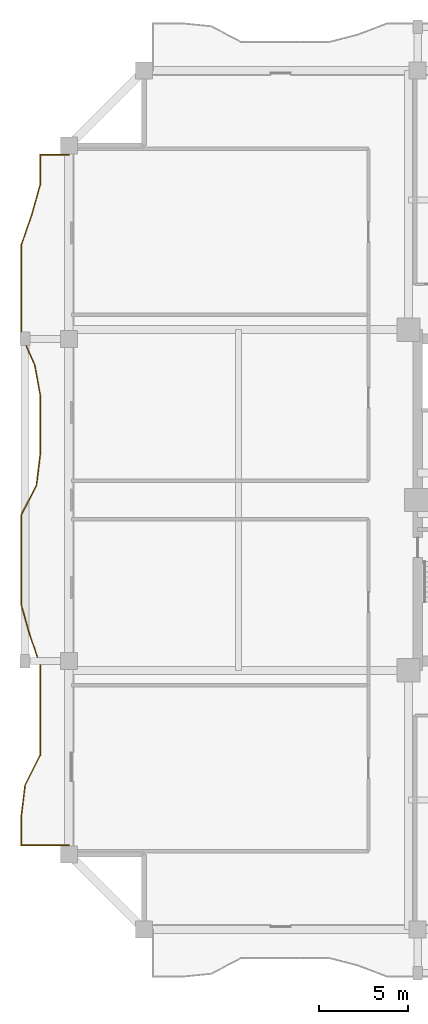
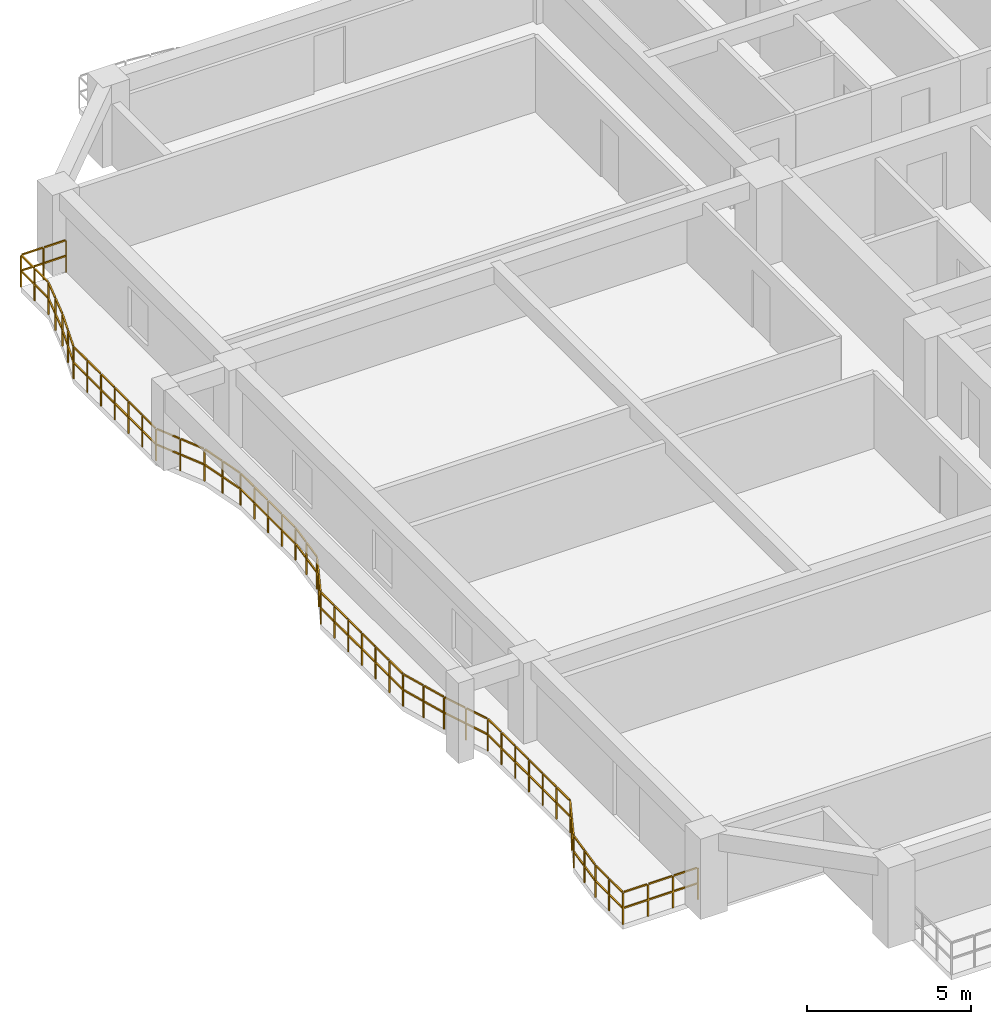
# One storey, part 9 of 12: 1 railing.
"""IFC4 building model written with IfcOpenShell, lengths in metres."""

from ifc_helpers import new_model, si_unit, direction, frame, origin, origin_2d, place, context, subcontext, project, spatial, rectangle, extrude, material, type_object, element, save


model = new_model("IFC4")

# Units and contexts
model_context = context("Model", 3, precision=1e-05, world=origin(), true_north=direction((0.0, 1.0)))
body_context = subcontext(model_context, "Body", "Model", "MODEL_VIEW")
ifc_project = project(units=[si_unit("LENGTHUNIT", "METRE"), si_unit("AREAUNIT", "SQUARE_METRE"), si_unit("VOLUMEUNIT", "CUBIC_METRE"), si_unit("PLANEANGLEUNIT", "RADIAN"), si_unit("MASSUNIT", "GRAM", prefix="KILO")], contexts=[model_context])

# Site, building, storey
site_placement = place(None, origin())
site = spatial("IfcSite", under=ifc_project, at=site_placement, CompositionType="ELEMENT")
building_placement = place(site_placement, origin())
building = spatial("IfcBuilding", under=site, at=building_placement, Name="Saelheon Loggia Tower", CompositionType="ELEMENT")
storey_placement = place(building_placement, frame((0.0, 0.0, 95.85009765625)))
storey = spatial("IfcBuildingStorey", under=building, at=storey_placement, Name="L30", CompositionType="ELEMENT", Elevation=95.85009765625)

# Railing
ifc_material = material(Name="Architectural Precast Concrete and Laminated Glass Guard", Category="concrete")
railing_type = type_object("IfcRailingType", Name="Guard_Loggia_RL_LOG", PredefinedType="BALUSTRADE", material=ifc_material)
railing_placement = place(storey_placement, frame((12.0, 46.300048828125, 0.0)))
element("IfcRailing", 1, at=railing_placement, inside=storey, type_object=railing_type, Name="L30 West Loggia Balustrade", PredefinedType="BALUSTRADE", context=body_context, shape_type="SweptSolid", body=[
    extrude(rectangle(XDim=0.048095703125, YDim=0.048095703125, at=origin_2d()), frame((-0.033203125, 0.0, 1.19580078125), z_axis=(-1.0, 0.0, 0.0), x_axis=(0.0, -1.0, 0.0)), (0.0, 0.0, 1.0), 0.733642578125),
    extrude(rectangle(XDim=0.048095703125, YDim=0.048095703125, at=origin_2d()), frame((-0.033203125, 0.0, 0.60986328125), z_axis=(-1.0, 0.0, 0.0), x_axis=(0.0, -1.0, 0.0)), (0.0, 0.0, 1.0), 0.733642578125),
    extrude(rectangle(XDim=0.048095703125, YDim=0.048095703125, at=origin_2d()), frame((-0.833251953125, 0.0, 1.19580078125), z_axis=(-1.0, 0.0, 0.0), x_axis=(0.0, -1.0, 0.0)), (0.0, 0.0, 1.0), 0.733642578125),
    extrude(rectangle(XDim=0.048095703125, YDim=0.048095703125, at=origin_2d()), frame((-0.833251953125, 0.0, 0.60986328125), z_axis=(-1.0, 0.0, 0.0), x_axis=(0.0, -1.0, 0.0)), (0.0, 0.0, 1.0), 0.733642578125),
    extrude(rectangle(XDim=0.048095703125, YDim=0.048095703125, at=origin_2d()), frame((-1.60009765625, -0.033203125, 1.19580078125), z_axis=(0.0, -1.0, 0.0), x_axis=(1.0, 0.0, 0.0)), (0.0, 0.0, 1.0), 0.772705078125),
    extrude(rectangle(XDim=0.048095703125, YDim=0.048095703125, at=origin_2d()), frame((-1.60009765625, -0.033203125, 0.60986328125), z_axis=(0.0, -1.0, 0.0), x_axis=(1.0, 0.0, 0.0)), (0.0, 0.0, 1.0), 0.772705078125),
    extrude(rectangle(XDim=0.048095703125, YDim=0.048095703125, at=origin_2d()), frame((-1.60009765625, -0.87255859375, 1.19580078125), z_axis=(0.0, -1.0, 0.0), x_axis=(1.0, 0.0, 0.0)), (0.0, 0.0, 1.0), 0.772705078125),
    extrude(rectangle(XDim=0.048095703125, YDim=0.048095703125, at=origin_2d()), frame((-1.60009765625, -0.87255859375, 0.60986328125), z_axis=(0.0, -1.0, 0.0), x_axis=(1.0, 0.0, 0.0)), (0.0, 0.0, 1.0), 0.772705078125),
    extrude(rectangle(XDim=0.048095703125, YDim=0.048095703125, at=origin_2d()), frame((-1.609130859375, -1.71044921875, 1.19580078125), z_axis=(-0.270741520797, -0.962652080929, 0.0), x_axis=(0.962652080929, -0.270741520797, 0.0)), (0.0, 0.0, 1.0), 0.80517578125),
    extrude(rectangle(XDim=0.048095703125, YDim=0.048095703125, at=origin_2d()), frame((-1.609130859375, -1.71044921875, 0.60986328125), z_axis=(-0.270741520797, -0.962652080929, 0.0), x_axis=(0.962652080929, -0.270741520797, 0.0)), (0.0, 0.0, 1.0), 0.80517578125),
    extrude(rectangle(XDim=0.048095703125, YDim=0.048095703125, at=origin_2d()), frame((-1.844970703125, -2.549560546875, 1.19580078125), z_axis=(-0.270741520797, -0.962652080929, 0.0), x_axis=(0.962652080929, -0.270741520797, 0.0)), (0.0, 0.0, 1.0), 0.80517578125),
    extrude(rectangle(XDim=0.048095703125, YDim=0.048095703125, at=origin_2d()), frame((-1.844970703125, -2.549560546875, 0.60986328125), z_axis=(-0.270741520797, -0.962652080929, 0.0), x_axis=(0.962652080929, -0.270741520797, 0.0)), (0.0, 0.0, 1.0), 0.80517578125),
    extrude(rectangle(XDim=0.048095703125, YDim=0.048095703125, at=origin_2d()), frame((-2.082763671875, -3.387939453125, 1.19580078125), z_axis=(-0.32553712792, -0.945529258323, 0.0), x_axis=(0.945529258323, -0.32553712792, 0.0)), (0.0, 0.0, 1.0), 0.821044921875),
    extrude(rectangle(XDim=0.048095703125, YDim=0.048095703125, at=origin_2d()), frame((-2.082763671875, -3.387939453125, 0.60986328125), z_axis=(-0.32553712792, -0.945529258323, 0.0), x_axis=(0.945529258323, -0.32553712792, 0.0)), (0.0, 0.0, 1.0), 0.821044921875),
    extrude(rectangle(XDim=0.048095703125, YDim=0.048095703125, at=origin_2d()), frame((-2.371826171875, -4.22705078125, 1.19580078125), z_axis=(-0.32553712792, -0.945529258323, 0.0), x_axis=(0.945529258323, -0.32553712792, 0.0)), (0.0, 0.0, 1.0), 0.821044921875),
    extrude(rectangle(XDim=0.048095703125, YDim=0.048095703125, at=origin_2d()), frame((-2.371826171875, -4.22705078125, 0.60986328125), z_axis=(-0.32553712792, -0.945529258323, 0.0), x_axis=(0.945529258323, -0.32553712792, 0.0)), (0.0, 0.0, 1.0), 0.821044921875),
    extrude(rectangle(XDim=0.048095703125, YDim=0.048095703125, at=origin_2d()), frame((-2.64990234375, -5.068115234375, 1.19580078125), z_axis=(0.0, -1.0, 0.0), x_axis=(1.0, 0.0, 0.0)), (0.0, 0.0, 1.0), 0.772705078125),
    extrude(rectangle(XDim=0.048095703125, YDim=0.048095703125, at=origin_2d()), frame((-2.64990234375, -5.068115234375, 0.60986328125), z_axis=(0.0, -1.0, 0.0), x_axis=(1.0, 0.0, 0.0)), (0.0, 0.0, 1.0), 0.772705078125),
    extrude(rectangle(XDim=0.048095703125, YDim=0.048095703125, at=origin_2d()), frame((-2.64990234375, -5.9072265625, 1.19580078125), z_axis=(0.0, -1.0, 0.0), x_axis=(1.0, 0.0, 0.0)), (0.0, 0.0, 1.0), 0.772705078125),
    extrude(rectangle(XDim=0.048095703125, YDim=0.048095703125, at=origin_2d()), frame((-2.64990234375, -5.9072265625, 0.60986328125), z_axis=(0.0, -1.0, 0.0), x_axis=(1.0, 0.0, 0.0)), (0.0, 0.0, 1.0), 0.772705078125),
    extrude(rectangle(XDim=0.048095703125, YDim=0.048095703125, at=origin_2d()), frame((-2.64990234375, -6.746337890625, 1.19580078125), z_axis=(0.0, -1.0, 0.0), x_axis=(1.0, 0.0, 0.0)), (0.0, 0.0, 1.0), 0.772705078125),
    extrude(rectangle(XDim=0.048095703125, YDim=0.048095703125, at=origin_2d()), frame((-2.64990234375, -6.746337890625, 0.60986328125), z_axis=(0.0, -1.0, 0.0), x_axis=(1.0, 0.0, 0.0)), (0.0, 0.0, 1.0), 0.772705078125),
    extrude(rectangle(XDim=0.048095703125, YDim=0.048095703125, at=origin_2d()), frame((-2.64990234375, -7.58544921875, 1.19580078125), z_axis=(0.0, -1.0, 0.0), x_axis=(1.0, 0.0, 0.0)), (0.0, 0.0, 1.0), 0.772705078125),
    extrude(rectangle(XDim=0.048095703125, YDim=0.048095703125, at=origin_2d()), frame((-2.64990234375, -7.58544921875, 0.60986328125), z_axis=(0.0, -1.0, 0.0), x_axis=(1.0, 0.0, 0.0)), (0.0, 0.0, 1.0), 0.772705078125),
    extrude(rectangle(XDim=0.048095703125, YDim=0.048095703125, at=origin_2d()), frame((-2.64990234375, -8.424560546875, 1.19580078125), z_axis=(0.0, -1.0, 0.0), x_axis=(1.0, 0.0, 0.0)), (0.0, 0.0, 1.0), 0.772705078125),
    extrude(rectangle(XDim=0.048095703125, YDim=0.048095703125, at=origin_2d()), frame((-2.64990234375, -8.424560546875, 0.60986328125), z_axis=(0.0, -1.0, 0.0), x_axis=(1.0, 0.0, 0.0)), (0.0, 0.0, 1.0), 0.772705078125),
    extrude(rectangle(XDim=0.048095703125, YDim=0.048095703125, at=origin_2d()), frame((-2.64990234375, -9.263671875, 1.19580078125), z_axis=(0.0, -1.0, 0.0), x_axis=(1.0, 0.0, 0.0)), (0.0, 0.0, 1.0), 0.772705078125),
    extrude(rectangle(XDim=0.048095703125, YDim=0.048095703125, at=origin_2d()), frame((-2.64990234375, -9.263671875, 0.60986328125), z_axis=(0.0, -1.0, 0.0), x_axis=(1.0, 0.0, 0.0)), (0.0, 0.0, 1.0), 0.772705078125),
    extrude(rectangle(XDim=0.048095703125, YDim=0.048095703125, at=origin_2d()), frame((-2.636474609375, -10.099853515625, 1.19580078125), z_axis=(0.404458935898, -0.91455615966, 0.0), x_axis=(0.91455615966, 0.404458935898, 0.0)), (0.0, 0.0, 1.0), 0.85107421875),
    extrude(rectangle(XDim=0.048095703125, YDim=0.048095703125, at=origin_2d()), frame((-2.636474609375, -10.099853515625, 0.60986328125), z_axis=(0.404458935898, -0.91455615966, 0.0), x_axis=(0.91455615966, 0.404458935898, 0.0)), (0.0, 0.0, 1.0), 0.85107421875),
    extrude(rectangle(XDim=0.048095703125, YDim=0.048095703125, at=origin_2d()), frame((-2.265380859375, -10.93896484375, 1.19580078125), z_axis=(0.404458935898, -0.91455615966, 0.0), x_axis=(0.91455615966, 0.404458935898, 0.0)), (0.0, 0.0, 1.0), 0.85107421875),
    extrude(rectangle(XDim=0.048095703125, YDim=0.048095703125, at=origin_2d()), frame((-2.265380859375, -10.93896484375, 0.60986328125), z_axis=(0.404458935898, -0.91455615966, 0.0), x_axis=(0.91455615966, 0.404458935898, 0.0)), (0.0, 0.0, 1.0), 0.85107421875),
    extrude(rectangle(XDim=0.048095703125, YDim=0.048095703125, at=origin_2d()), frame((-1.901611328125, -11.780517578125, 1.19580078125), z_axis=(0.180270193892, -0.983617129372, 0.0), x_axis=(0.983617129372, 0.180270193892, 0.0)), (0.0, 0.0, 1.0), 0.78662109375),
    extrude(rectangle(XDim=0.048095703125, YDim=0.048095703125, at=origin_2d()), frame((-1.901611328125, -11.780517578125, 0.60986328125), z_axis=(0.180270193892, -0.983617129372, 0.0), x_axis=(0.983617129372, 0.180270193892, 0.0)), (0.0, 0.0, 1.0), 0.78662109375),
    extrude(rectangle(XDim=0.048095703125, YDim=0.048095703125, at=origin_2d()), frame((-1.747802734375, -12.61962890625, 1.19580078125), z_axis=(0.180270193892, -0.983617129372, 0.0), x_axis=(0.983617129372, 0.180270193892, 0.0)), (0.0, 0.0, 1.0), 0.78662109375),
    extrude(rectangle(XDim=0.048095703125, YDim=0.048095703125, at=origin_2d()), frame((-1.747802734375, -12.61962890625, 0.60986328125), z_axis=(0.180270193892, -0.983617129372, 0.0), x_axis=(0.983617129372, 0.180270193892, 0.0)), (0.0, 0.0, 1.0), 0.78662109375),
    extrude(rectangle(XDim=0.048095703125, YDim=0.048095703125, at=origin_2d()), frame((-1.60009765625, -13.45947265625, 1.19580078125), z_axis=(0.0, -1.0, 0.0), x_axis=(1.0, 0.0, 0.0)), (0.0, 0.0, 1.0), 0.7724609375),
    extrude(rectangle(XDim=0.048095703125, YDim=0.048095703125, at=origin_2d()), frame((-1.60009765625, -13.45947265625, 0.60986328125), z_axis=(0.0, -1.0, 0.0), x_axis=(1.0, 0.0, 0.0)), (0.0, 0.0, 1.0), 0.7724609375),
    extrude(rectangle(XDim=0.048095703125, YDim=0.048095703125, at=origin_2d()), frame((-1.60009765625, -14.298583984375, 1.19580078125), z_axis=(0.0, -1.0, 0.0), x_axis=(1.0, 0.0, 0.0)), (0.0, 0.0, 1.0), 0.7724609375),
    extrude(rectangle(XDim=0.048095703125, YDim=0.048095703125, at=origin_2d()), frame((-1.60009765625, -14.298583984375, 0.60986328125), z_axis=(0.0, -1.0, 0.0), x_axis=(1.0, 0.0, 0.0)), (0.0, 0.0, 1.0), 0.7724609375),
    extrude(rectangle(XDim=0.048095703125, YDim=0.048095703125, at=origin_2d()), frame((-1.60009765625, -15.137451171875, 1.19580078125), z_axis=(0.0, -1.0, 0.0), x_axis=(1.0, 0.0, 0.0)), (0.0, 0.0, 1.0), 0.772705078125),
    extrude(rectangle(XDim=0.048095703125, YDim=0.048095703125, at=origin_2d()), frame((-1.60009765625, -15.137451171875, 0.60986328125), z_axis=(0.0, -1.0, 0.0), x_axis=(1.0, 0.0, 0.0)), (0.0, 0.0, 1.0), 0.772705078125),
    extrude(rectangle(XDim=0.048095703125, YDim=0.048095703125, at=origin_2d()), frame((-1.60009765625, -15.976806640625, 1.19580078125), z_axis=(0.0, -1.0, 0.0), x_axis=(1.0, 0.0, 0.0)), (0.0, 0.0, 1.0), 0.772705078125),
    extrude(rectangle(XDim=0.048095703125, YDim=0.048095703125, at=origin_2d()), frame((-1.60009765625, -15.976806640625, 0.60986328125), z_axis=(0.0, -1.0, 0.0), x_axis=(1.0, 0.0, 0.0)), (0.0, 0.0, 1.0), 0.772705078125),
    extrude(rectangle(XDim=0.048095703125, YDim=0.048095703125, at=origin_2d()), frame((-1.604248046875, -16.815673828125, 1.19580078125), z_axis=(-0.122008589262, -0.992529044485, 0.0), x_axis=(0.992529044485, -0.122008589262, 0.0)), (0.0, 0.0, 1.0), 0.779052734375),
    extrude(rectangle(XDim=0.048095703125, YDim=0.048095703125, at=origin_2d()), frame((-1.604248046875, -16.815673828125, 0.60986328125), z_axis=(-0.122008589262, -0.992529044485, 0.0), x_axis=(0.992529044485, -0.122008589262, 0.0)), (0.0, 0.0, 1.0), 0.779052734375),
    extrude(rectangle(XDim=0.048095703125, YDim=0.048095703125, at=origin_2d()), frame((-1.707275390625, -17.65478515625, 1.19580078125), z_axis=(-0.122008589262, -0.992529044485, 0.0), x_axis=(0.992529044485, -0.122008589262, 0.0)), (0.0, 0.0, 1.0), 0.779052734375),
    extrude(rectangle(XDim=0.048095703125, YDim=0.048095703125, at=origin_2d()), frame((-1.707275390625, -17.65478515625, 0.60986328125), z_axis=(-0.122008589262, -0.992529044485, 0.0), x_axis=(0.992529044485, -0.122008589262, 0.0)), (0.0, 0.0, 1.0), 0.779052734375),
    extrude(rectangle(XDim=0.048095703125, YDim=0.048095703125, at=origin_2d()), frame((-1.8212890625, -18.49072265625, 1.19580078125), z_axis=(-0.449084342629, -0.893489369386, 0.0), x_axis=(0.893489369386, -0.449084342629, 0.0)), (0.0, 0.0, 1.0), 0.87255859375),
    extrude(rectangle(XDim=0.048095703125, YDim=0.048095703125, at=origin_2d()), frame((-1.8212890625, -18.49072265625, 0.60986328125), z_axis=(-0.449084342629, -0.893489369386, 0.0), x_axis=(0.893489369386, -0.449084342629, 0.0)), (0.0, 0.0, 1.0), 0.87255859375),
    extrude(rectangle(XDim=0.048095703125, YDim=0.048095703125, at=origin_2d()), frame((-2.2431640625, -19.329833984375, 1.19580078125), z_axis=(-0.449084342629, -0.893489369386, 0.0), x_axis=(0.893489369386, -0.449084342629, 0.0)), (0.0, 0.0, 1.0), 0.87255859375),
    extrude(rectangle(XDim=0.048095703125, YDim=0.048095703125, at=origin_2d()), frame((-2.2431640625, -19.329833984375, 0.60986328125), z_axis=(-0.449084342629, -0.893489369386, 0.0), x_axis=(0.893489369386, -0.449084342629, 0.0)), (0.0, 0.0, 1.0), 0.87255859375),
    extrude(rectangle(XDim=0.048095703125, YDim=0.048095703125, at=origin_2d()), frame((-2.64990234375, -20.17236328125, 1.19580078125), z_axis=(0.0, -1.0, 0.0), x_axis=(1.0, 0.0, 0.0)), (0.0, 0.0, 1.0), 0.772705078125),
    extrude(rectangle(XDim=0.048095703125, YDim=0.048095703125, at=origin_2d()), frame((-2.64990234375, -20.17236328125, 0.60986328125), z_axis=(0.0, -1.0, 0.0), x_axis=(1.0, 0.0, 0.0)), (0.0, 0.0, 1.0), 0.772705078125),
    extrude(rectangle(XDim=0.048095703125, YDim=0.048095703125, at=origin_2d()), frame((-2.64990234375, -21.011474609375, 1.19580078125), z_axis=(0.0, -1.0, 0.0), x_axis=(1.0, 0.0, 0.0)), (0.0, 0.0, 1.0), 0.772705078125),
    extrude(rectangle(XDim=0.048095703125, YDim=0.048095703125, at=origin_2d()), frame((-2.64990234375, -21.011474609375, 0.60986328125), z_axis=(0.0, -1.0, 0.0), x_axis=(1.0, 0.0, 0.0)), (0.0, 0.0, 1.0), 0.772705078125),
    extrude(rectangle(XDim=0.048095703125, YDim=0.048095703125, at=origin_2d()), frame((-2.64990234375, -21.8505859375, 1.19580078125), z_axis=(0.0, -1.0, 0.0), x_axis=(1.0, 0.0, 0.0)), (0.0, 0.0, 1.0), 0.772705078125),
    extrude(rectangle(XDim=0.048095703125, YDim=0.048095703125, at=origin_2d()), frame((-2.64990234375, -21.8505859375, 0.60986328125), z_axis=(0.0, -1.0, 0.0), x_axis=(1.0, 0.0, 0.0)), (0.0, 0.0, 1.0), 0.772705078125),
    extrude(rectangle(XDim=0.048095703125, YDim=0.048095703125, at=origin_2d()), frame((-2.64990234375, -22.68994140625, 1.19580078125), z_axis=(0.0, -1.0, 0.0), x_axis=(1.0, 0.0, 0.0)), (0.0, 0.0, 1.0), 0.772705078125),
    extrude(rectangle(XDim=0.048095703125, YDim=0.048095703125, at=origin_2d()), frame((-2.64990234375, -22.68994140625, 0.60986328125), z_axis=(0.0, -1.0, 0.0), x_axis=(1.0, 0.0, 0.0)), (0.0, 0.0, 1.0), 0.772705078125),
    extrude(rectangle(XDim=0.048095703125, YDim=0.048095703125, at=origin_2d()), frame((-2.64990234375, -23.529052734375, 1.19580078125), z_axis=(0.0, -1.0, 0.0), x_axis=(1.0, 0.0, 0.0)), (0.0, 0.0, 1.0), 0.7724609375),
    extrude(rectangle(XDim=0.048095703125, YDim=0.048095703125, at=origin_2d()), frame((-2.64990234375, -23.529052734375, 0.60986328125), z_axis=(0.0, -1.0, 0.0), x_axis=(1.0, 0.0, 0.0)), (0.0, 0.0, 1.0), 0.7724609375),
    extrude(rectangle(XDim=0.048095703125, YDim=0.048095703125, at=origin_2d()), frame((-2.64990234375, -24.3681640625, 1.19580078125), z_axis=(0.0, -1.0, 0.0), x_axis=(1.0, 0.0, 0.0)), (0.0, 0.0, 1.0), 0.7724609375),
    extrude(rectangle(XDim=0.048095703125, YDim=0.048095703125, at=origin_2d()), frame((-2.64990234375, -24.3681640625, 0.60986328125), z_axis=(0.0, -1.0, 0.0), x_axis=(1.0, 0.0, 0.0)), (0.0, 0.0, 1.0), 0.7724609375),
    extrude(rectangle(XDim=0.048095703125, YDim=0.048095703125, at=origin_2d()), frame((-2.640869140625, -25.205810546875, 1.19580078125), z_axis=(0.271706191311, -0.962380250007, 0.0), x_axis=(0.962380250007, 0.271706191311, 0.0)), (0.0, 0.0, 1.0), 0.8056640625),
    extrude(rectangle(XDim=0.048095703125, YDim=0.048095703125, at=origin_2d()), frame((-2.640869140625, -25.205810546875, 0.60986328125), z_axis=(0.271706191311, -0.962380250007, 0.0), x_axis=(0.962380250007, 0.271706191311, 0.0)), (0.0, 0.0, 1.0), 0.8056640625),
    extrude(rectangle(XDim=0.048095703125, YDim=0.048095703125, at=origin_2d()), frame((-2.404052734375, -26.045166015625, 1.19580078125), z_axis=(0.271706191311, -0.962380250007, 0.0), x_axis=(0.962380250007, 0.271706191311, 0.0)), (0.0, 0.0, 1.0), 0.8056640625),
    extrude(rectangle(XDim=0.048095703125, YDim=0.048095703125, at=origin_2d()), frame((-2.404052734375, -26.045166015625, 0.60986328125), z_axis=(0.271706191311, -0.962380250007, 0.0), x_axis=(0.962380250007, 0.271706191311, 0.0)), (0.0, 0.0, 1.0), 0.8056640625),
    extrude(rectangle(XDim=0.048095703125, YDim=0.048095703125, at=origin_2d()), frame((-2.165283203125, -26.8837890625, 1.19580078125), z_axis=(0.324595186359, -0.945853035621, 0.0), x_axis=(0.945853035621, 0.324595186359, 0.0)), (0.0, 0.0, 1.0), 0.82080078125),
    extrude(rectangle(XDim=0.048095703125, YDim=0.048095703125, at=origin_2d()), frame((-2.165283203125, -26.8837890625, 0.60986328125), z_axis=(0.324595186359, -0.945853035621, 0.0), x_axis=(0.945853035621, 0.324595186359, 0.0)), (0.0, 0.0, 1.0), 0.82080078125),
    extrude(rectangle(XDim=0.048095703125, YDim=0.048095703125, at=origin_2d()), frame((-1.877197265625, -27.722900390625, 1.19580078125), z_axis=(0.324595186359, -0.945853035621, 0.0), x_axis=(0.945853035621, 0.324595186359, 0.0)), (0.0, 0.0, 1.0), 0.82080078125),
    extrude(rectangle(XDim=0.048095703125, YDim=0.048095703125, at=origin_2d()), frame((-1.877197265625, -27.722900390625, 0.60986328125), z_axis=(0.324595186359, -0.945853035621, 0.0), x_axis=(0.945853035621, 0.324595186359, 0.0)), (0.0, 0.0, 1.0), 0.82080078125),
    extrude(rectangle(XDim=0.048095703125, YDim=0.048095703125, at=origin_2d()), frame((-1.60009765625, -28.563720703125, 1.19580078125), z_axis=(0.0, -1.0, 0.0), x_axis=(1.0, 0.0, 0.0)), (0.0, 0.0, 1.0), 0.772705078125),
    extrude(rectangle(XDim=0.048095703125, YDim=0.048095703125, at=origin_2d()), frame((-1.60009765625, -28.563720703125, 0.60986328125), z_axis=(0.0, -1.0, 0.0), x_axis=(1.0, 0.0, 0.0)), (0.0, 0.0, 1.0), 0.772705078125),
    extrude(rectangle(XDim=0.048095703125, YDim=0.048095703125, at=origin_2d()), frame((-1.60009765625, -29.40283203125, 1.19580078125), z_axis=(0.0, -1.0, 0.0), x_axis=(1.0, 0.0, 0.0)), (0.0, 0.0, 1.0), 0.772705078125),
    extrude(rectangle(XDim=0.048095703125, YDim=0.048095703125, at=origin_2d()), frame((-1.60009765625, -29.40283203125, 0.60986328125), z_axis=(0.0, -1.0, 0.0), x_axis=(1.0, 0.0, 0.0)), (0.0, 0.0, 1.0), 0.772705078125),
    extrude(rectangle(XDim=0.048095703125, YDim=0.048095703125, at=origin_2d()), frame((-1.60009765625, -30.241943359375, 1.19580078125), z_axis=(0.0, -1.0, 0.0), x_axis=(1.0, 0.0, 0.0)), (0.0, 0.0, 1.0), 0.772705078125),
    extrude(rectangle(XDim=0.048095703125, YDim=0.048095703125, at=origin_2d()), frame((-1.60009765625, -30.241943359375, 0.60986328125), z_axis=(0.0, -1.0, 0.0), x_axis=(1.0, 0.0, 0.0)), (0.0, 0.0, 1.0), 0.772705078125),
    extrude(rectangle(XDim=0.048095703125, YDim=0.048095703125, at=origin_2d()), frame((-1.60009765625, -31.0810546875, 1.19580078125), z_axis=(0.0, -1.0, 0.0), x_axis=(1.0, 0.0, 0.0)), (0.0, 0.0, 1.0), 0.772705078125),
    extrude(rectangle(XDim=0.048095703125, YDim=0.048095703125, at=origin_2d()), frame((-1.60009765625, -31.0810546875, 0.60986328125), z_axis=(0.0, -1.0, 0.0), x_axis=(1.0, 0.0, 0.0)), (0.0, 0.0, 1.0), 0.772705078125),
    extrude(rectangle(XDim=0.048095703125, YDim=0.048095703125, at=origin_2d()), frame((-1.60009765625, -31.920166015625, 1.19580078125), z_axis=(0.0, -1.0, 0.0), x_axis=(1.0, 0.0, 0.0)), (0.0, 0.0, 1.0), 0.772705078125),
    extrude(rectangle(XDim=0.048095703125, YDim=0.048095703125, at=origin_2d()), frame((-1.60009765625, -31.920166015625, 0.60986328125), z_axis=(0.0, -1.0, 0.0), x_axis=(1.0, 0.0, 0.0)), (0.0, 0.0, 1.0), 0.772705078125),
    extrude(rectangle(XDim=0.048095703125, YDim=0.048095703125, at=origin_2d()), frame((-1.60009765625, -32.75927734375, 1.19580078125), z_axis=(0.0, -1.0, 0.0), x_axis=(1.0, 0.0, 0.0)), (0.0, 0.0, 1.0), 0.772705078125),
    extrude(rectangle(XDim=0.048095703125, YDim=0.048095703125, at=origin_2d()), frame((-1.60009765625, -32.75927734375, 0.60986328125), z_axis=(0.0, -1.0, 0.0), x_axis=(1.0, 0.0, 0.0)), (0.0, 0.0, 1.0), 0.772705078125),
    extrude(rectangle(XDim=0.048095703125, YDim=0.048095703125, at=origin_2d()), frame((-1.614990234375, -33.594970703125, 1.19580078125), z_axis=(-0.448824634664, -0.893619856158, 0.0), x_axis=(0.893619856158, -0.448824634664, 0.0)), (0.0, 0.0, 1.0), 0.87255859375),
    extrude(rectangle(XDim=0.048095703125, YDim=0.048095703125, at=origin_2d()), frame((-1.614990234375, -33.594970703125, 0.60986328125), z_axis=(-0.448824634664, -0.893619856158, 0.0), x_axis=(0.893619856158, -0.448824634664, 0.0)), (0.0, 0.0, 1.0), 0.87255859375),
    extrude(rectangle(XDim=0.048095703125, YDim=0.048095703125, at=origin_2d()), frame((-2.03662109375, -34.43408203125, 1.19580078125), z_axis=(-0.448824634664, -0.893619856158, 0.0), x_axis=(0.893619856158, -0.448824634664, 0.0)), (0.0, 0.0, 1.0), 0.87255859375),
    extrude(rectangle(XDim=0.048095703125, YDim=0.048095703125, at=origin_2d()), frame((-2.03662109375, -34.43408203125, 0.60986328125), z_axis=(-0.448824634664, -0.893619856158, 0.0), x_axis=(0.893619856158, -0.448824634664, 0.0)), (0.0, 0.0, 1.0), 0.87255859375),
    extrude(rectangle(XDim=0.048095703125, YDim=0.048095703125, at=origin_2d()), frame((-2.447265625, -35.276611328125, 1.19580078125), z_axis=(-0.122310580261, -0.992491875008, 0.0), x_axis=(0.992491875008, -0.122310580261, 0.0)), (0.0, 0.0, 1.0), 0.77880859375),
    extrude(rectangle(XDim=0.048095703125, YDim=0.048095703125, at=origin_2d()), frame((-2.447265625, -35.276611328125, 0.60986328125), z_axis=(-0.122310580261, -0.992491875008, 0.0), x_axis=(0.992491875008, -0.122310580261, 0.0)), (0.0, 0.0, 1.0), 0.77880859375),
    extrude(rectangle(XDim=0.048095703125, YDim=0.048095703125, at=origin_2d()), frame((-2.550537109375, -36.11572265625, 1.19580078125), z_axis=(-0.122310580261, -0.992491875008, 0.0), x_axis=(0.992491875008, -0.122310580261, 0.0)), (0.0, 0.0, 1.0), 0.77880859375),
    extrude(rectangle(XDim=0.048095703125, YDim=0.048095703125, at=origin_2d()), frame((-2.550537109375, -36.11572265625, 0.60986328125), z_axis=(-0.122310580261, -0.992491875008, 0.0), x_axis=(0.992491875008, -0.122310580261, 0.0)), (0.0, 0.0, 1.0), 0.77880859375),
    extrude(rectangle(XDim=0.048095703125, YDim=0.048095703125, at=origin_2d()), frame((-2.64990234375, -36.954833984375, 1.19580078125), z_axis=(0.0, -1.0, 0.0), x_axis=(1.0, 0.0, 0.0)), (0.0, 0.0, 1.0), 0.772705078125),
    extrude(rectangle(XDim=0.048095703125, YDim=0.048095703125, at=origin_2d()), frame((-2.64990234375, -36.954833984375, 0.60986328125), z_axis=(0.0, -1.0, 0.0), x_axis=(1.0, 0.0, 0.0)), (0.0, 0.0, 1.0), 0.772705078125),
    extrude(rectangle(XDim=0.048095703125, YDim=0.048095703125, at=origin_2d()), frame((-2.64990234375, -37.794189453125, 1.19580078125), z_axis=(0.0, -1.0, 0.0), x_axis=(1.0, 0.0, 0.0)), (0.0, 0.0, 1.0), 0.772705078125),
    extrude(rectangle(XDim=0.048095703125, YDim=0.048095703125, at=origin_2d()), frame((-2.64990234375, -37.794189453125, 0.60986328125), z_axis=(0.0, -1.0, 0.0), x_axis=(1.0, 0.0, 0.0)), (0.0, 0.0, 1.0), 0.772705078125),
    extrude(rectangle(XDim=0.048095703125, YDim=0.048095703125, at=origin_2d()), frame((-2.61669921875, -38.60009765625, 1.19580078125), z_axis=(1.0, 0.0, 0.0), x_axis=(0.0, 1.0, 0.0)), (0.0, 0.0, 1.0), 0.81689453125),
    extrude(rectangle(XDim=0.048095703125, YDim=0.048095703125, at=origin_2d()), frame((-2.61669921875, -38.60009765625, 0.60986328125), z_axis=(1.0, 0.0, 0.0), x_axis=(0.0, 1.0, 0.0)), (0.0, 0.0, 1.0), 0.81689453125),
    extrude(rectangle(XDim=0.048095703125, YDim=0.048095703125, at=origin_2d()), frame((-1.7333984375, -38.60009765625, 1.19580078125), z_axis=(1.0, 0.0, 0.0), x_axis=(0.0, 1.0, 0.0)), (0.0, 0.0, 1.0), 0.81689453125),
    extrude(rectangle(XDim=0.048095703125, YDim=0.048095703125, at=origin_2d()), frame((-1.7333984375, -38.60009765625, 0.60986328125), z_axis=(1.0, 0.0, 0.0), x_axis=(0.0, 1.0, 0.0)), (0.0, 0.0, 1.0), 0.81689453125),
    extrude(rectangle(XDim=0.048095703125, YDim=0.048095703125, at=origin_2d()), frame((-0.85009765625, -38.60009765625, 1.19580078125), z_axis=(1.0, 0.0, 0.0), x_axis=(0.0, 1.0, 0.0)), (0.0, 0.0, 1.0), 0.81689453125),
    extrude(rectangle(XDim=0.048095703125, YDim=0.048095703125, at=origin_2d()), frame((-0.85009765625, -38.60009765625, 0.60986328125), z_axis=(1.0, 0.0, 0.0), x_axis=(0.0, 1.0, 0.0)), (0.0, 0.0, 1.0), 0.81689453125),
    extrude(rectangle(XDim=0.0419921875, YDim=0.0419921875, at=origin_2d()), origin(), (0.0, 0.0, 1.0), 1.16796875),
    extrude(rectangle(XDim=0.0419921875, YDim=0.0419921875, at=origin_2d()), frame((-0.800048828125, 0.0, 0.0)), (0.0, 0.0, 1.0), 1.16796875),
    extrude(rectangle(XDim=0.0419921875, YDim=0.0419921875, at=origin_2d()), frame((-1.60009765625, 0.0, 0.0)), (0.0, 0.0, 1.0), 1.16796875),
    extrude(rectangle(XDim=0.0419921875, YDim=0.0419921875, at=origin_2d()), frame((-1.60009765625, -0.83935546875, 0.0)), (0.0, 0.0, 1.0), 1.16796875),
    extrude(rectangle(XDim=0.0419921875, YDim=0.0419921875, at=origin_2d()), frame((-1.60009765625, -1.678466796875, 0.0)), (0.0, 0.0, 1.0), 1.16796875),
    extrude(rectangle(XDim=0.0419921875, YDim=0.0419921875, at=origin_2d()), frame((-1.8359375, -2.517578125, 0.0)), (0.0, 0.0, 1.0), 1.16796875),
    extrude(rectangle(XDim=0.0419921875, YDim=0.0419921875, at=origin_2d()), frame((-2.072021484375, -3.3564453125, 0.0)), (0.0, 0.0, 1.0), 1.16796875),
    extrude(rectangle(XDim=0.0419921875, YDim=0.0419921875, at=origin_2d()), frame((-2.36083984375, -4.19580078125, 0.0)), (0.0, 0.0, 1.0), 1.16796875),
    extrude(rectangle(XDim=0.0419921875, YDim=0.0419921875, at=origin_2d()), frame((-2.64990234375, -5.034912109375, 0.0)), (0.0, 0.0, 1.0), 1.16796875),
    extrude(rectangle(XDim=0.0419921875, YDim=0.0419921875, at=origin_2d()), frame((-2.64990234375, -5.8740234375, 0.0)), (0.0, 0.0, 1.0), 1.16796875),
    extrude(rectangle(XDim=0.0419921875, YDim=0.0419921875, at=origin_2d()), frame((-2.64990234375, -6.713134765625, 0.0)), (0.0, 0.0, 1.0), 1.16796875),
    extrude(rectangle(XDim=0.0419921875, YDim=0.0419921875, at=origin_2d()), frame((-2.64990234375, -7.55224609375, 0.0)), (0.0, 0.0, 1.0), 1.16796875),
    extrude(rectangle(XDim=0.0419921875, YDim=0.0419921875, at=origin_2d()), frame((-2.64990234375, -8.391357421875, 0.0)), (0.0, 0.0, 1.0), 1.16796875),
    extrude(rectangle(XDim=0.0419921875, YDim=0.0419921875, at=origin_2d()), frame((-2.64990234375, -9.23046875, 0.0)), (0.0, 0.0, 1.0), 1.16796875),
    extrude(rectangle(XDim=0.0419921875, YDim=0.0419921875, at=origin_2d()), frame((-2.64990234375, -10.069580078125, 0.0)), (0.0, 0.0, 1.0), 1.16796875),
    extrude(rectangle(XDim=0.0419921875, YDim=0.0419921875, at=origin_2d()), frame((-2.27880859375, -10.90869140625, 0.0)), (0.0, 0.0, 1.0), 1.16796875),
    extrude(rectangle(XDim=0.0419921875, YDim=0.0419921875, at=origin_2d()), frame((-1.90771484375, -11.747802734375, 0.0)), (0.0, 0.0, 1.0), 1.16796875),
    extrude(rectangle(XDim=0.0419921875, YDim=0.0419921875, at=origin_2d()), frame((-1.75390625, -12.5869140625, 0.0)), (0.0, 0.0, 1.0), 1.16796875),
    extrude(rectangle(XDim=0.0419921875, YDim=0.0419921875, at=origin_2d()), frame((-1.60009765625, -13.42626953125, 0.0)), (0.0, 0.0, 1.0), 1.16796875),
    extrude(rectangle(XDim=0.0419921875, YDim=0.0419921875, at=origin_2d()), frame((-1.60009765625, -14.26513671875, 0.0)), (0.0, 0.0, 1.0), 1.16796875),
    extrude(rectangle(XDim=0.0419921875, YDim=0.0419921875, at=origin_2d()), frame((-1.60009765625, -15.104248046875, 0.0)), (0.0, 0.0, 1.0), 1.16796875),
    extrude(rectangle(XDim=0.0419921875, YDim=0.0419921875, at=origin_2d()), frame((-1.60009765625, -15.943359375, 0.0)), (0.0, 0.0, 1.0), 1.16796875),
    extrude(rectangle(XDim=0.0419921875, YDim=0.0419921875, at=origin_2d()), frame((-1.60009765625, -16.78271484375, 0.0)), (0.0, 0.0, 1.0), 1.16796875),
    extrude(rectangle(XDim=0.0419921875, YDim=0.0419921875, at=origin_2d()), frame((-1.703125, -17.621826171875, 0.0)), (0.0, 0.0, 1.0), 1.16796875),
    extrude(rectangle(XDim=0.0419921875, YDim=0.0419921875, at=origin_2d()), frame((-1.806396484375, -18.4609375, 0.0)), (0.0, 0.0, 1.0), 1.16796875),
    extrude(rectangle(XDim=0.0419921875, YDim=0.0419921875, at=origin_2d()), frame((-2.22802734375, -19.300048828125, 0.0)), (0.0, 0.0, 1.0), 1.16796875),
    extrude(rectangle(XDim=0.0419921875, YDim=0.0419921875, at=origin_2d()), frame((-2.64990234375, -20.13916015625, 0.0)), (0.0, 0.0, 1.0), 1.16796875),
    extrude(rectangle(XDim=0.0419921875, YDim=0.0419921875, at=origin_2d()), frame((-2.64990234375, -20.978271484375, 0.0)), (0.0, 0.0, 1.0), 1.16796875),
    extrude(rectangle(XDim=0.0419921875, YDim=0.0419921875, at=origin_2d()), frame((-2.64990234375, -21.8173828125, 0.0)), (0.0, 0.0, 1.0), 1.16796875),
    extrude(rectangle(XDim=0.0419921875, YDim=0.0419921875, at=origin_2d()), frame((-2.64990234375, -22.65673828125, 0.0)), (0.0, 0.0, 1.0), 1.16796875),
    extrude(rectangle(XDim=0.0419921875, YDim=0.0419921875, at=origin_2d()), frame((-2.64990234375, -23.495849609375, 0.0)), (0.0, 0.0, 1.0), 1.16796875),
    extrude(rectangle(XDim=0.0419921875, YDim=0.0419921875, at=origin_2d()), frame((-2.64990234375, -24.3349609375, 0.0)), (0.0, 0.0, 1.0), 1.16796875),
    extrude(rectangle(XDim=0.0419921875, YDim=0.0419921875, at=origin_2d()), frame((-2.64990234375, -25.173828125, 0.0)), (0.0, 0.0, 1.0), 1.16796875),
    extrude(rectangle(XDim=0.0419921875, YDim=0.0419921875, at=origin_2d()), frame((-2.4130859375, -26.01318359375, 0.0)), (0.0, 0.0, 1.0), 1.16796875),
    extrude(rectangle(XDim=0.0419921875, YDim=0.0419921875, at=origin_2d()), frame((-2.176025390625, -26.852294921875, 0.0)), (0.0, 0.0, 1.0), 1.16796875),
    extrude(rectangle(XDim=0.0419921875, YDim=0.0419921875, at=origin_2d()), frame((-1.88818359375, -27.69140625, 0.0)), (0.0, 0.0, 1.0), 1.16796875),
    extrude(rectangle(XDim=0.0419921875, YDim=0.0419921875, at=origin_2d()), frame((-1.60009765625, -28.530517578125, 0.0)), (0.0, 0.0, 1.0), 1.16796875),
    extrude(rectangle(XDim=0.0419921875, YDim=0.0419921875, at=origin_2d()), frame((-1.60009765625, -29.36962890625, 0.0)), (0.0, 0.0, 1.0), 1.16796875),
    extrude(rectangle(XDim=0.0419921875, YDim=0.0419921875, at=origin_2d()), frame((-1.60009765625, -30.208740234375, 0.0)), (0.0, 0.0, 1.0), 1.16796875),
    extrude(rectangle(XDim=0.0419921875, YDim=0.0419921875, at=origin_2d()), frame((-1.60009765625, -31.0478515625, 0.0)), (0.0, 0.0, 1.0), 1.16796875),
    extrude(rectangle(XDim=0.0419921875, YDim=0.0419921875, at=origin_2d()), frame((-1.60009765625, -31.886962890625, 0.0)), (0.0, 0.0, 1.0), 1.16796875),
    extrude(rectangle(XDim=0.0419921875, YDim=0.0419921875, at=origin_2d()), frame((-1.60009765625, -32.72607421875, 0.0)), (0.0, 0.0, 1.0), 1.16796875),
    extrude(rectangle(XDim=0.0419921875, YDim=0.0419921875, at=origin_2d()), frame((-1.60009765625, -33.565185546875, 0.0)), (0.0, 0.0, 1.0), 1.16796875),
    extrude(rectangle(XDim=0.0419921875, YDim=0.0419921875, at=origin_2d()), frame((-2.021484375, -34.404296875, 0.0)), (0.0, 0.0, 1.0), 1.16796875),
    extrude(rectangle(XDim=0.0419921875, YDim=0.0419921875, at=origin_2d()), frame((-2.443115234375, -35.24365234375, 0.0)), (0.0, 0.0, 1.0), 1.16796875),
    extrude(rectangle(XDim=0.0419921875, YDim=0.0419921875, at=origin_2d()), frame((-2.54638671875, -36.08251953125, 0.0)), (0.0, 0.0, 1.0), 1.16796875),
    extrude(rectangle(XDim=0.0419921875, YDim=0.0419921875, at=origin_2d()), frame((-2.64990234375, -36.921630859375, 0.0)), (0.0, 0.0, 1.0), 1.16796875),
    extrude(rectangle(XDim=0.0419921875, YDim=0.0419921875, at=origin_2d()), frame((-2.64990234375, -37.7607421875, 0.0)), (0.0, 0.0, 1.0), 1.16796875),
    extrude(rectangle(XDim=0.0419921875, YDim=0.0419921875, at=origin_2d()), frame((-2.64990234375, -38.60009765625, 0.0)), (0.0, 0.0, 1.0), 1.16796875),
    extrude(rectangle(XDim=0.0419921875, YDim=0.0419921875, at=origin_2d()), frame((-1.7666015625, -38.60009765625, 0.0)), (0.0, 0.0, 1.0), 1.16796875),
    extrude(rectangle(XDim=0.0419921875, YDim=0.0419921875, at=origin_2d()), frame((-0.88330078125, -38.60009765625, 0.0)), (0.0, 0.0, 1.0), 1.16796875),
    extrude(rectangle(XDim=0.0419921875, YDim=0.0419921875, at=origin_2d()), frame((0.0, -38.60009765625, 0.0)), (0.0, 0.0, 1.0), 1.16796875),
])

save(model, "model.ifc")
